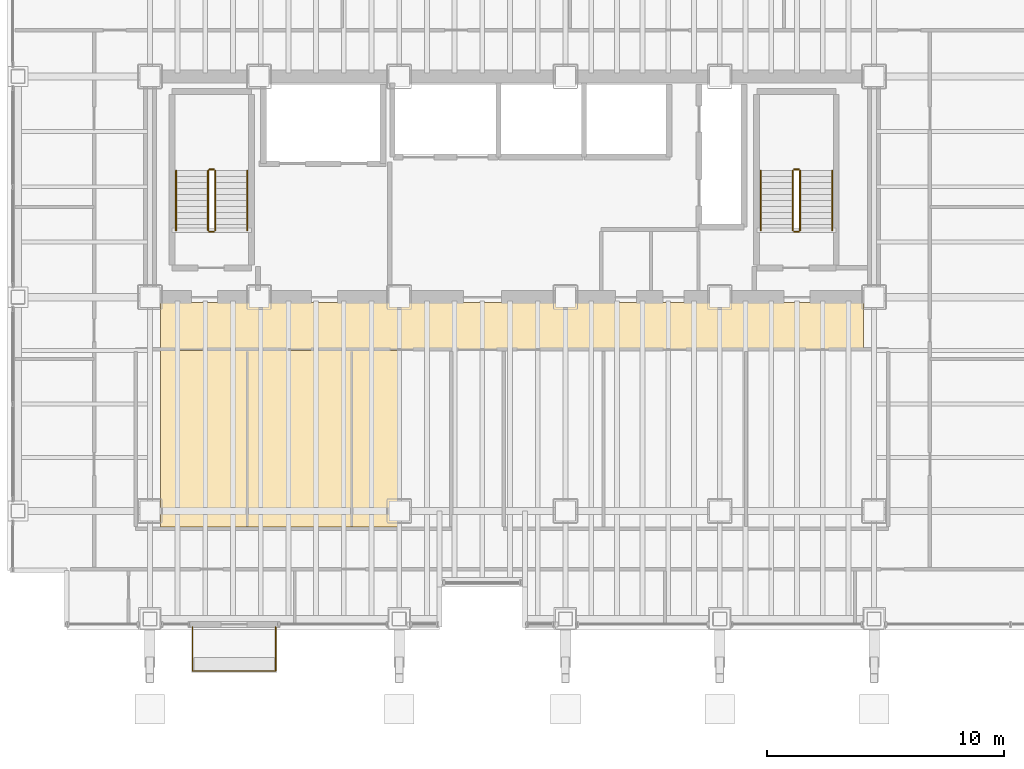
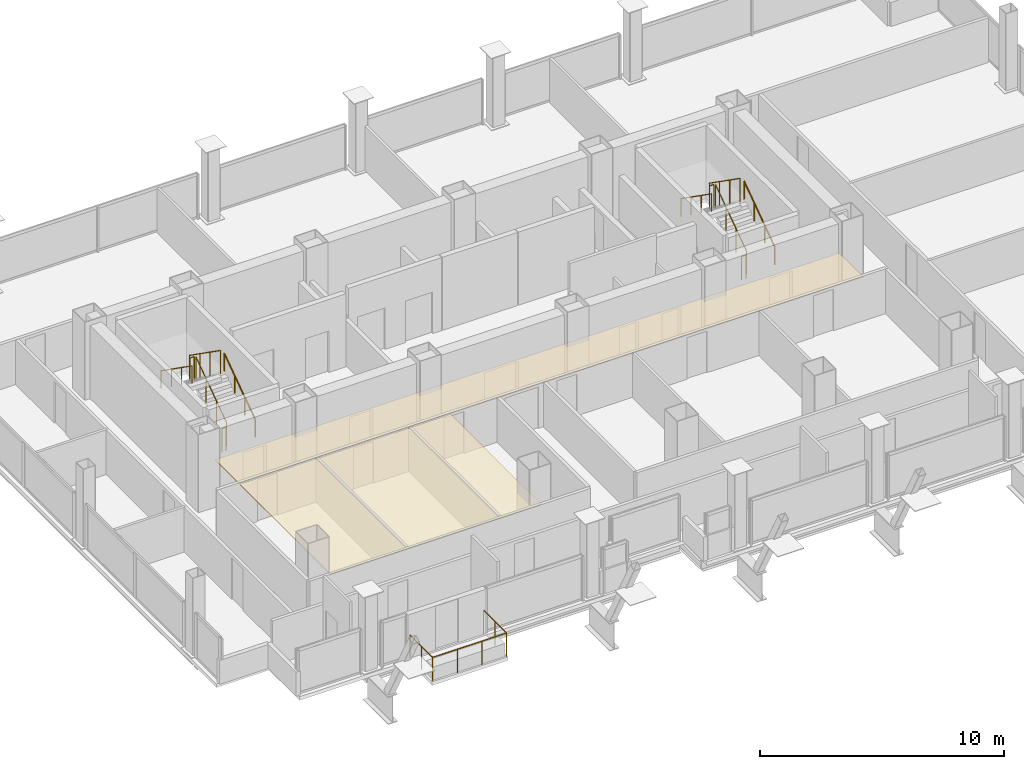
# One storey, part 21 of 21: 13 railings, 2 coverings.
"""IFC4 building model written with IfcOpenShell, lengths in metres."""

from ifc_helpers import new_model, si_unit, direction, frame, origin, origin_2d, place, context, subcontext, project, spatial, polyline, circle, outline, extrude, material, layer, layer_set, type_object, element, save


model = new_model("IFC4")

# Units and contexts
model_context = context("Model", 3, precision=1e-05, world=origin(), true_north=direction((0.0, 1.0)))
body_context = subcontext(model_context, "Body", "Model", "MODEL_VIEW")
ifc_project = project(units=[si_unit("LENGTHUNIT", "METRE"), si_unit("AREAUNIT", "SQUARE_METRE"), si_unit("VOLUMEUNIT", "CUBIC_METRE"), si_unit("PLANEANGLEUNIT", "RADIAN"), si_unit("MASSUNIT", "GRAM", prefix="KILO")], contexts=[model_context])

# Site, building, storey
site_placement = place(None, origin())
site = spatial("IfcSite", under=ifc_project, at=site_placement, CompositionType="ELEMENT")
building_placement = place(site_placement, origin())
building = spatial("IfcBuilding", under=site, at=building_placement, Name="Noeulbin Bourse Tower", CompositionType="ELEMENT")
storey_placement = place(building_placement, frame((0.0, 0.0, 77.199951171875)))
storey = spatial("IfcBuildingStorey", under=building, at=storey_placement, Name="L19", CompositionType="ELEMENT", Elevation=77.199951171875)

# Coverings
ifc_material_1 = material(Name="Perforated Mineral-Fibre Acoustic Tile")
ifc_layer_1 = layer(ifc_material_1, 0.0400390625)
ifc_layer_set_1 = layer_set([ifc_layer_1], Name="Perforated Mineral-Fibre Acoustic Tile")
covering_type = type_object("IfcCoveringType", Name="COV-CEIL-ACT", PredefinedType="CEILING", material=ifc_layer_set_1)
covering_1_placement = place(storey_placement, frame((0.0, 0.0, 2.110107421875)))
element("IfcCovering", 1, at=covering_1_placement, inside=storey, type_object=covering_type, Name="Corridor Suspended Ceiling L19", PredefinedType="CEILING", context=body_context, shape_type="SweptSolid", body=[
    extrude(outline(polyline([(13.949951171875, 26.820068359375), (43.550048828125, 26.820068359375), (43.550048828125, 28.780029296875), (13.949951171875, 28.780029296875), (13.949951171875, 26.820068359375)])), origin(), (0.0, 0.0, 1.0), 0.0400390625),
])
covering_2_placement = place(storey_placement, frame((0.0, 0.0, 2.110107421875)))
element("IfcCovering", 2, at=covering_2_placement, inside=storey, type_object=covering_type, Name="Trading Suite Acoustic Ceiling L19", PredefinedType="CEILING", context=body_context, shape_type="SweptSolid", body=[
    extrude(outline(polyline([(13.949951171875, 19.320068359375), (23.949951171875, 19.320068359375), (23.949951171875, 26.75), (13.949951171875, 26.75), (13.949951171875, 19.320068359375)])), origin(), (0.0, 0.0, 1.0), 0.0400390625),
])

# Railings
ifc_material_2 = material(Name="Laminated SentryGlas and Stainless Steel 316", Category="steel")
ifc_layer_2 = layer(ifc_material_2, 0.06005859375)
ifc_layer_set_2 = layer_set([ifc_layer_2], Name="Laminated SentryGlas and Stainless Steel 316")
railing_type_1 = type_object("IfcRailingType", Name="RLG-BAL-1200", PredefinedType="BALUSTRADE", material=ifc_layer_set_2)
railing_1_placement = place(storey_placement, frame((15.300048828125, 15.1201171875, 0.0)))
element("IfcRailing", 3, at=railing_1_placement, inside=storey, type_object=railing_type_1, Name="Tree-Balcony Glazed Balustrade L19", PredefinedType="BALUSTRADE", context=body_context, shape_type="SweptSolid", body=[
    extrude(circle(Radius=0.02392578125, at=origin_2d()), frame((0.0, 0.0, 1.17578125), z_axis=(0.0, -1.0, 0.0), x_axis=(1.0, 0.0, 0.0)), (0.0, 0.0, 1.0), 1.8701171875),
    extrude(circle(Radius=0.02392578125, at=origin_2d()), frame((0.0, -1.8701171875, 1.17578125), z_axis=(1.0, 0.0, 0.0), x_axis=(0.0, 1.0, 0.0)), (0.0, 0.0, 1.0), 3.5),
    extrude(circle(Radius=0.02392578125, at=origin_2d()), frame((3.5, -1.8701171875, 1.17578125), z_axis=(0.0, 1.0, 0.0), x_axis=(-1.0, 0.0, 0.0)), (0.0, 0.0, 1.0), 1.8701171875),
    extrude(circle(Radius=0.02099609375, at=origin_2d()), origin(), (0.0, 0.0, 1.0), 1.15185546875),
    extrude(circle(Radius=0.02099609375, at=origin_2d()), frame((0.0, -0.93505859375, 0.0)), (0.0, 0.0, 1.0), 1.15185546875),
    extrude(circle(Radius=0.02099609375, at=origin_2d()), frame((0.0, -1.8701171875, 0.0)), (0.0, 0.0, 1.0), 1.15185546875),
    extrude(circle(Radius=0.02099609375, at=origin_2d()), frame((1.166748046875, -1.8701171875, 0.0)), (0.0, 0.0, 1.0), 1.15185546875),
    extrude(circle(Radius=0.02099609375, at=origin_2d()), frame((2.333251953125, -1.8701171875, 0.0)), (0.0, 0.0, 1.0), 1.15185546875),
    extrude(circle(Radius=0.02099609375, at=origin_2d()), frame((3.5, -1.8701171875, 0.0)), (0.0, 0.0, 1.0), 1.15185546875),
    extrude(circle(Radius=0.02099609375, at=origin_2d()), frame((3.5, -0.93505859375, 0.0)), (0.0, 0.0, 1.0), 1.15185546875),
    extrude(circle(Radius=0.02099609375, at=origin_2d()), frame((3.5, 0.0, 0.0)), (0.0, 0.0, 1.0), 1.15185546875),
])
ifc_material_3 = material(Name="Painted Tubular Steel S355", Category="steel")
ifc_layer_3 = layer(ifc_material_3, 0.048095703125)
ifc_layer_set_3 = layer_set([ifc_layer_3], Name="Painted Tubular Steel S355")
railing_type_2 = type_object("IfcRailingType", Name="RLG-STR-GRD", PredefinedType="GUARDRAIL", material=ifc_layer_set_3)
railing_2_placement = place(storey_placement, frame((16.25, 31.81005859375, 0.17724609375)))
element("IfcRailing", 4, at=railing_2_placement, inside=storey, type_object=railing_type_2, Name="L19 ST-1 stair guard 1", PredefinedType="GUARDRAIL", context=body_context, shape_type="SweptSolid", body=[
    extrude(circle(Radius=0.02392578125, at=origin_2d()), frame((0.0, 0.0, 1.17578125), z_axis=(0.0, 0.817904474719, 0.575354039036), x_axis=(-1.0, 0.0, 0.0)), (0.0, 0.0, 1.0), 3.0810546875),
    extrude(circle(Radius=0.02099609375, at=origin_2d()), origin(), (0.0, 0.0, 1.0), 1.15185546875),
    extrude(circle(Radius=0.02099609375, at=origin_2d()), frame((0.0, 0.840087890625, 0.5908203125)), (0.0, 0.0, 1.0), 1.15185546875),
    extrude(circle(Radius=0.02099609375, at=origin_2d()), frame((0.0, 1.679931640625, 1.181884765625)), (0.0, 0.0, 1.0), 1.15185546875),
    extrude(circle(Radius=0.02099609375, at=origin_2d()), frame((0.0, 2.52001953125, 1.772705078125)), (0.0, 0.0, 1.0), 1.15185546875),
])
railing_3_placement = place(storey_placement, frame((16.199951171875, 34.3798828125, 1.949951171875)))
element("IfcRailing", 5, at=railing_3_placement, inside=storey, type_object=railing_type_2, Name="L19 ST-1 stair guard 2", PredefinedType="GUARDRAIL", context=body_context, shape_type="SweptSolid", body=[
    extrude(circle(Radius=0.02392578125, at=origin_2d()), frame((0.0, 0.0, 1.17578125), z_axis=(-1.0, 0.0, 0.0), x_axis=(0.0, -1.0, 0.0)), (0.0, 0.0, 1.0), 0.199951171875),
    extrude(circle(Radius=0.02099609375, at=origin_2d()), origin(), (0.0, 0.0, 1.0), 1.15185546875),
    extrude(circle(Radius=0.02099609375, at=origin_2d()), frame((-0.199951171875, 0.0, 0.0)), (0.0, 0.0, 1.0), 1.15185546875),
])
railing_4_placement = place(storey_placement, frame((15.949951171875, 34.330078125, 2.12744140625)))
element("IfcRailing", 6, at=railing_4_placement, inside=storey, type_object=railing_type_2, Name="L19 ST-1 stair guard 3", PredefinedType="GUARDRAIL", context=body_context, shape_type="SweptSolid", body=[
    extrude(circle(Radius=0.02392578125, at=origin_2d()), frame((0.0, 0.0, 1.17578125), z_axis=(0.0, -0.817904474719, 0.575354039036), x_axis=(1.0, 0.0, 0.0)), (0.0, 0.0, 1.0), 3.0810546875),
    extrude(circle(Radius=0.02099609375, at=origin_2d()), origin(), (0.0, 0.0, 1.0), 1.15185546875),
    extrude(circle(Radius=0.02099609375, at=origin_2d()), frame((0.0, -0.840087890625, 0.5908203125)), (0.0, 0.0, 1.0), 1.15185546875),
    extrude(circle(Radius=0.02099609375, at=origin_2d()), frame((0.0, -1.679931640625, 1.181884765625)), (0.0, 0.0, 1.0), 1.15185546875),
    extrude(circle(Radius=0.02099609375, at=origin_2d()), frame((0.0, -2.52001953125, 1.772705078125)), (0.0, 0.0, 1.0), 1.15185546875),
])
railing_5_placement = place(storey_placement, frame((16.199951171875, 31.760009765625, 0.0)))
element("IfcRailing", 7, at=railing_5_placement, inside=storey, type_object=railing_type_2, Name="L19 ST-1 stair guard 4", PredefinedType="GUARDRAIL", context=body_context, shape_type="SweptSolid", body=[
    extrude(circle(Radius=0.02392578125, at=origin_2d()), frame((0.0, 0.0, 1.17578125), z_axis=(-1.0, 0.0, 0.0), x_axis=(0.0, -1.0, 0.0)), (0.0, 0.0, 1.0), 0.199951171875),
    extrude(circle(Radius=0.02099609375, at=origin_2d()), origin(), (0.0, 0.0, 1.0), 1.15185546875),
    extrude(circle(Radius=0.02099609375, at=origin_2d()), frame((-0.199951171875, 0.0, 0.0)), (0.0, 0.0, 1.0), 1.15185546875),
])
railing_6_placement = place(storey_placement, frame((40.8798828125, 31.81005859375, 0.17724609375)))
element("IfcRailing", 8, at=railing_6_placement, inside=storey, type_object=railing_type_2, Name="L19 ST-2 stair guard 1", PredefinedType="GUARDRAIL", context=body_context, shape_type="SweptSolid", body=[
    extrude(circle(Radius=0.02392578125, at=origin_2d()), frame((0.0, 0.0, 1.17578125), z_axis=(0.0, 0.817904474719, 0.575354039036), x_axis=(-1.0, 0.0, 0.0)), (0.0, 0.0, 1.0), 3.0810546875),
    extrude(circle(Radius=0.02099609375, at=origin_2d()), origin(), (0.0, 0.0, 1.0), 1.15185546875),
    extrude(circle(Radius=0.02099609375, at=origin_2d()), frame((0.0, 0.840087890625, 0.5908203125)), (0.0, 0.0, 1.0), 1.15185546875),
    extrude(circle(Radius=0.02099609375, at=origin_2d()), frame((0.0, 1.679931640625, 1.181884765625)), (0.0, 0.0, 1.0), 1.15185546875),
    extrude(circle(Radius=0.02099609375, at=origin_2d()), frame((0.0, 2.52001953125, 1.772705078125)), (0.0, 0.0, 1.0), 1.15185546875),
])
railing_7_placement = place(storey_placement, frame((40.830078125, 34.3798828125, 1.949951171875)))
element("IfcRailing", 9, at=railing_7_placement, inside=storey, type_object=railing_type_2, Name="L19 ST-2 stair guard 2", PredefinedType="GUARDRAIL", context=body_context, shape_type="SweptSolid", body=[
    extrude(circle(Radius=0.02392578125, at=origin_2d()), frame((0.0, 0.0, 1.17578125), z_axis=(-1.0, 0.0, 0.0), x_axis=(0.0, -1.0, 0.0)), (0.0, 0.0, 1.0), 0.2001953125),
    extrude(circle(Radius=0.02099609375, at=origin_2d()), origin(), (0.0, 0.0, 1.0), 1.15185546875),
    extrude(circle(Radius=0.02099609375, at=origin_2d()), frame((-0.2001953125, 0.0, 0.0)), (0.0, 0.0, 1.0), 1.15185546875),
])
railing_8_placement = place(storey_placement, frame((40.580078125, 34.330078125, 2.12744140625)))
element("IfcRailing", 10, at=railing_8_placement, inside=storey, type_object=railing_type_2, Name="L19 ST-2 stair guard 3", PredefinedType="GUARDRAIL", context=body_context, shape_type="SweptSolid", body=[
    extrude(circle(Radius=0.02392578125, at=origin_2d()), frame((0.0, 0.0, 1.17578125), z_axis=(0.0, -0.817904474719, 0.575354039036), x_axis=(1.0, 0.0, 0.0)), (0.0, 0.0, 1.0), 3.0810546875),
    extrude(circle(Radius=0.02099609375, at=origin_2d()), origin(), (0.0, 0.0, 1.0), 1.15185546875),
    extrude(circle(Radius=0.02099609375, at=origin_2d()), frame((0.0, -0.840087890625, 0.5908203125)), (0.0, 0.0, 1.0), 1.15185546875),
    extrude(circle(Radius=0.02099609375, at=origin_2d()), frame((0.0, -1.679931640625, 1.181884765625)), (0.0, 0.0, 1.0), 1.15185546875),
    extrude(circle(Radius=0.02099609375, at=origin_2d()), frame((0.0, -2.52001953125, 1.772705078125)), (0.0, 0.0, 1.0), 1.15185546875),
])
railing_9_placement = place(storey_placement, frame((40.830078125, 31.760009765625, 0.0)))
element("IfcRailing", 11, at=railing_9_placement, inside=storey, type_object=railing_type_2, Name="L19 ST-2 stair guard 4", PredefinedType="GUARDRAIL", context=body_context, shape_type="SweptSolid", body=[
    extrude(circle(Radius=0.02392578125, at=origin_2d()), frame((0.0, 0.0, 1.17578125), z_axis=(-1.0, 0.0, 0.0), x_axis=(0.0, -1.0, 0.0)), (0.0, 0.0, 1.0), 0.2001953125),
    extrude(circle(Radius=0.02099609375, at=origin_2d()), origin(), (0.0, 0.0, 1.0), 1.15185546875),
    extrude(circle(Radius=0.02099609375, at=origin_2d()), frame((-0.2001953125, 0.0, 0.0)), (0.0, 0.0, 1.0), 1.15185546875),
])
ifc_material_4 = material(Name="Brushed Stainless Steel 316", Category="steel")
ifc_layer_4 = layer(ifc_material_4, 0.048095703125)
ifc_layer_set_4 = layer_set([ifc_layer_4], Name="Brushed Stainless Steel 316")
railing_type_3 = type_object("IfcRailingType", Name="RLG-STR-HND", PredefinedType="HANDRAIL", material=ifc_layer_set_4)
railing_10_placement = place(storey_placement, frame((17.60009765625, 31.81005859375, 0.17724609375)))
element("IfcRailing", 12, at=railing_10_placement, inside=storey, type_object=railing_type_3, Name="L19 ST-1 stair handrail 1", PredefinedType="HANDRAIL", context=body_context, shape_type="SweptSolid", body=[
    extrude(circle(Radius=0.02392578125, at=origin_2d()), frame((0.0, 0.0, 0.8759765625), z_axis=(0.0, 0.817904474719, 0.575354039036), x_axis=(-1.0, 0.0, 0.0)), (0.0, 0.0, 1.0), 3.0810546875),
    extrude(circle(Radius=0.02099609375, at=origin_2d()), origin(), (0.0, 0.0, 1.0), 0.851806640625),
    extrude(circle(Radius=0.02099609375, at=origin_2d()), frame((0.0, 0.840087890625, 0.5908203125)), (0.0, 0.0, 1.0), 0.851806640625),
    extrude(circle(Radius=0.02099609375, at=origin_2d()), frame((0.0, 1.679931640625, 1.181884765625)), (0.0, 0.0, 1.0), 0.851806640625),
    extrude(circle(Radius=0.02099609375, at=origin_2d()), frame((0.0, 2.52001953125, 1.772705078125)), (0.0, 0.0, 1.0), 0.851806640625),
])
railing_11_placement = place(storey_placement, frame((14.60009765625, 34.330078125, 2.12744140625)))
element("IfcRailing", 13, at=railing_11_placement, inside=storey, type_object=railing_type_3, Name="L19 ST-1 stair handrail 2", PredefinedType="HANDRAIL", context=body_context, shape_type="SweptSolid", body=[
    extrude(circle(Radius=0.02392578125, at=origin_2d()), frame((0.0, 0.0, 0.8759765625), z_axis=(0.0, -0.817904474719, 0.575354039036), x_axis=(1.0, 0.0, 0.0)), (0.0, 0.0, 1.0), 3.0810546875),
    extrude(circle(Radius=0.02099609375, at=origin_2d()), origin(), (0.0, 0.0, 1.0), 0.851806640625),
    extrude(circle(Radius=0.02099609375, at=origin_2d()), frame((0.0, -0.840087890625, 0.5908203125)), (0.0, 0.0, 1.0), 0.851806640625),
    extrude(circle(Radius=0.02099609375, at=origin_2d()), frame((0.0, -1.679931640625, 1.181884765625)), (0.0, 0.0, 1.0), 0.851806640625),
    extrude(circle(Radius=0.02099609375, at=origin_2d()), frame((0.0, -2.52001953125, 1.772705078125)), (0.0, 0.0, 1.0), 0.851806640625),
])
railing_12_placement = place(storey_placement, frame((42.22998046875, 31.81005859375, 0.17724609375)))
element("IfcRailing", 14, at=railing_12_placement, inside=storey, type_object=railing_type_3, Name="L19 ST-2 stair handrail 1", PredefinedType="HANDRAIL", context=body_context, shape_type="SweptSolid", body=[
    extrude(circle(Radius=0.02392578125, at=origin_2d()), frame((0.0, 0.0, 0.8759765625), z_axis=(0.0, 0.817904474719, 0.575354039036), x_axis=(-1.0, 0.0, 0.0)), (0.0, 0.0, 1.0), 3.0810546875),
    extrude(circle(Radius=0.02099609375, at=origin_2d()), origin(), (0.0, 0.0, 1.0), 0.851806640625),
    extrude(circle(Radius=0.02099609375, at=origin_2d()), frame((0.0, 0.840087890625, 0.5908203125)), (0.0, 0.0, 1.0), 0.851806640625),
    extrude(circle(Radius=0.02099609375, at=origin_2d()), frame((0.0, 1.679931640625, 1.181884765625)), (0.0, 0.0, 1.0), 0.851806640625),
    extrude(circle(Radius=0.02099609375, at=origin_2d()), frame((0.0, 2.52001953125, 1.772705078125)), (0.0, 0.0, 1.0), 0.851806640625),
])
railing_13_placement = place(storey_placement, frame((39.22998046875, 34.330078125, 2.12744140625)))
element("IfcRailing", 15, at=railing_13_placement, inside=storey, type_object=railing_type_3, Name="L19 ST-2 stair handrail 2", PredefinedType="HANDRAIL", context=body_context, shape_type="SweptSolid", body=[
    extrude(circle(Radius=0.02392578125, at=origin_2d()), frame((0.0, 0.0, 0.8759765625), z_axis=(0.0, -0.817904474719, 0.575354039036), x_axis=(1.0, 0.0, 0.0)), (0.0, 0.0, 1.0), 3.0810546875),
    extrude(circle(Radius=0.02099609375, at=origin_2d()), origin(), (0.0, 0.0, 1.0), 0.851806640625),
    extrude(circle(Radius=0.02099609375, at=origin_2d()), frame((0.0, -0.840087890625, 0.5908203125)), (0.0, 0.0, 1.0), 0.851806640625),
    extrude(circle(Radius=0.02099609375, at=origin_2d()), frame((0.0, -1.679931640625, 1.181884765625)), (0.0, 0.0, 1.0), 0.851806640625),
    extrude(circle(Radius=0.02099609375, at=origin_2d()), frame((0.0, -2.52001953125, 1.772705078125)), (0.0, 0.0, 1.0), 0.851806640625),
])

save(model, "model.ifc")
